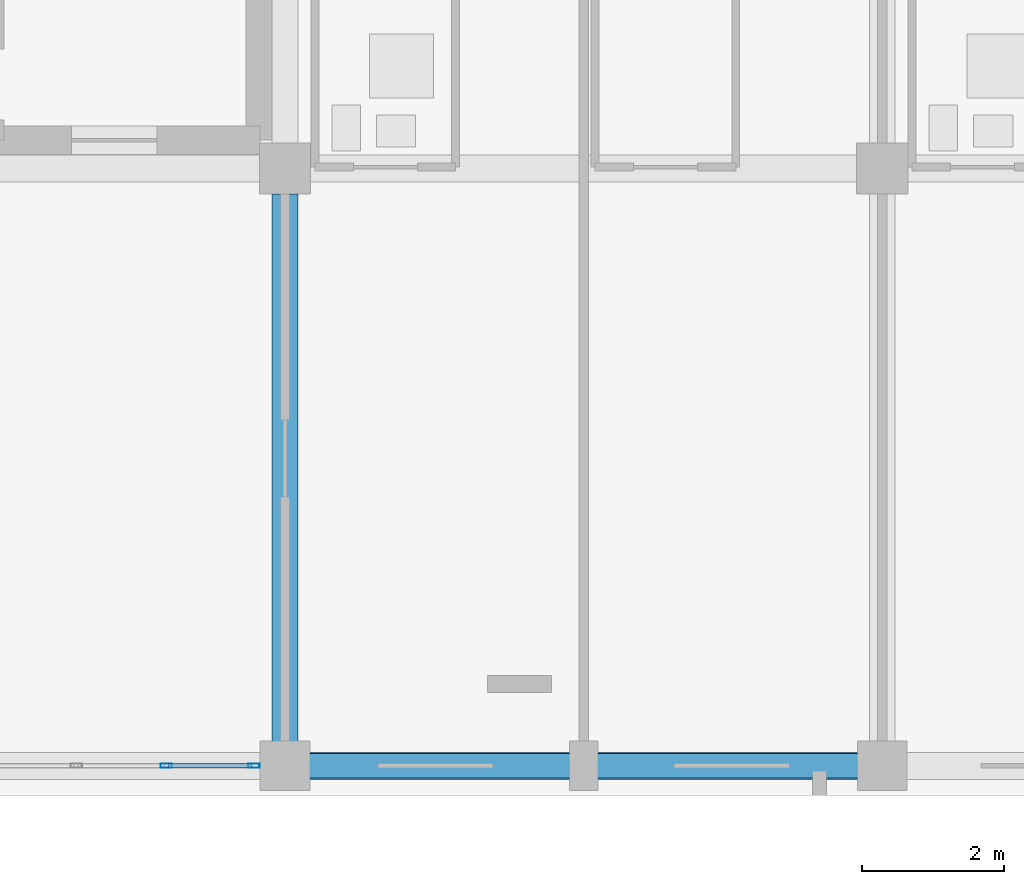
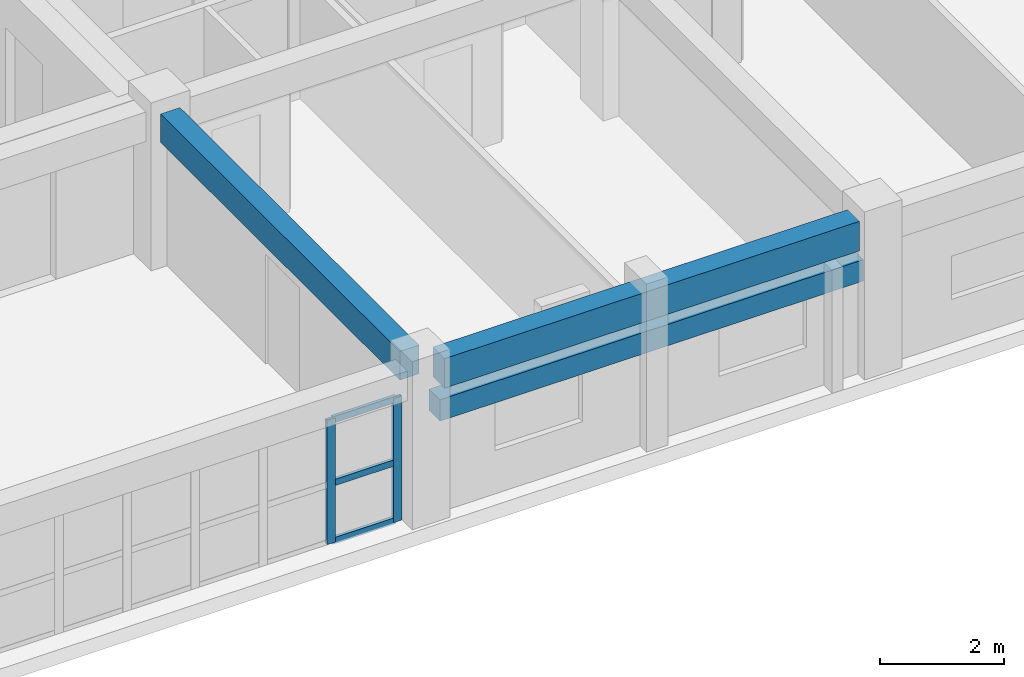
# One storey, part 14 of 148: 5 members, 3 beams, 1 element without a shape of its own.
"""IFC4 building model written with IfcOpenShell, lengths in metres."""

from ifc_helpers import new_model, si_unit, direction, frame, origin, origin_2d, place, context, subcontext, project, spatial, rectangle, hollow_rectangle, extrude, material, layer, layer_set, material_profile, profile_set, type_object, element, aggregate, save


model = new_model("IFC4")

# Units and contexts
model_context = context("Model", 3, precision=1e-05, world=origin(), true_north=direction((0.0, 1.0)))
body_context = subcontext(model_context, "Body", "Model", "MODEL_VIEW")
ifc_project = project(units=[si_unit("LENGTHUNIT", "METRE"), si_unit("AREAUNIT", "SQUARE_METRE"), si_unit("VOLUMEUNIT", "CUBIC_METRE"), si_unit("PLANEANGLEUNIT", "RADIAN"), si_unit("MASSUNIT", "GRAM", prefix="KILO")], contexts=[model_context])

# Site, building, storey
site_placement = place(None, origin())
site = spatial("IfcSite", under=ifc_project, at=site_placement, CompositionType="ELEMENT")
building_placement = place(site_placement, origin())
building = spatial("IfcBuilding", under=site, at=building_placement, Name="Trelvath General Hospital", CompositionType="ELEMENT")
storey_placement = place(building_placement, frame((0.0, 0.0, 12.89990234375)))
storey = spatial("IfcBuildingStorey", under=building, at=storey_placement, Name="L03", CompositionType="ELEMENT", Elevation=12.89990234375)

# Beams
ifc_material_1 = material(Name="Concrete C35/45", Category="concrete")
ifc_material_profile_1 = material_profile(ifc_material_1, rectangle(XDim=0.360107421875, YDim=0.56005859375, at=origin_2d()), Name="RCB360x560")
ifc_profile_set_1 = profile_set([ifc_material_profile_1], Name="Concrete C35/45")
beam_type_1 = type_object("IfcBeamType", Name="Beam RC360x560", PredefinedType="BEAM", material=ifc_profile_set_1)
beam_1_placement = place(storey_placement, frame((50.39990234375, 0.344970703125, 2.739990234375), z_axis=(0.0, 1.0, 0.0), x_axis=(-1.0, 0.0, 0.0)))
element("IfcBeam", 1, at=beam_1_placement, inside=storey, type_object=beam_type_1, Name="Grid Beam BY-306A", PredefinedType="BEAM", context=body_context, shape_type="SweptSolid", body=[
    extrude(rectangle(XDim=0.360107421875, YDim=0.56005859375, at=origin_2d()), origin(), (0.0, 0.0, 1.0), 7.699951171875),
])
ifc_material_2 = material(Name="Concrete C35/45", Category="concrete")
ifc_material_profile_2 = material_profile(ifc_material_2, rectangle(XDim=0.3798828125, YDim=0.580078125, at=origin_2d()), Name="RCB380x580")
ifc_profile_set_2 = profile_set([ifc_material_profile_2], Name="Concrete C35/45")
beam_type_2 = type_object("IfcBeamType", Name="Beam RC380x580", PredefinedType="BEAM", material=ifc_profile_set_2)
beam_2_placement = place(storey_placement, frame((50.7451171875, 0.0, 2.72998046875), z_axis=(1.0, 0.0, 0.0), x_axis=(0.0, 1.0, 0.0)))
element("IfcBeam", 2, at=beam_2_placement, inside=storey, type_object=beam_type_2, Name="Grid Beam BX-306A", PredefinedType="BEAM", context=body_context, shape_type="SweptSolid", body=[
    extrude(rectangle(XDim=0.3798828125, YDim=0.580078125, at=origin_2d()), origin(), (0.0, 0.0, 1.0), 7.7099609375),
])

# Curtain wall, members
ifc_material_3 = material(Name="Anodised aluminium and low-E glass", Category="aluminium")
ifc_layer = layer(ifc_material_3, 0.159912109375)
ifc_layer_set = layer_set([ifc_layer], Name="Anodised aluminium and low-E glass")
curtain_wall_type = type_object("IfcCurtainWallType", Name="CW Facade 759 244 16", PredefinedType="USERDEFINED", material=ifc_layer_set)
curtain_wall_placement = place(storey_placement, origin())
curtain_wall = element("IfcCurtainWall", 3, at=curtain_wall_placement, inside=storey, type_object=curtain_wall_type, Name="Facade Curtain Wall CW-056", ObjectType="Unitised Glazed Curtain Wall", PredefinedType="USERDEFINED")
ifc_material_4 = material(Name="Anodised aluminium", Category="aluminium")
ifc_material_profile_3 = material_profile(ifc_material_4, hollow_rectangle(XDim=0.06005859375, YDim=0.159912109375, WallThickness=0.00390625, at=origin_2d()), Name="RHS60x160x4")
ifc_profile_set_3 = profile_set([ifc_material_profile_3], Name="Anodised aluminium")
member_type_1 = type_object("IfcMemberType", Name="CurtainMullion 60x160", PredefinedType="MULLION", material=ifc_profile_set_3)
member_1_placement = place(storey_placement, frame((49.965087890625, 0.0, 0.0), z_axis=(0.0, 0.0, 1.0), x_axis=(0.0, -1.0, 0.0)))
member_1 = element("IfcMember", 4, at=member_1_placement, type_object=member_type_1, Name="CW-056 mullion 1", PredefinedType="MULLION", context=body_context, shape_type="SweptSolid", body=[
    extrude(hollow_rectangle(XDim=0.06005859375, YDim=0.159912109375, WallThickness=0.00390625, at=origin_2d()), origin(), (0.0, 0.0, 1.0), 2.440185546875),
])
member_2_placement = place(storey_placement, frame((48.72998046875, 0.0, 0.0), z_axis=(0.0, 0.0, 1.0), x_axis=(0.0, -1.0, 0.0)))
member_2 = element("IfcMember", 5, at=member_2_placement, type_object=member_type_1, Name="CW-056 mullion 2", PredefinedType="MULLION", context=body_context, shape_type="SweptSolid", body=[
    extrude(hollow_rectangle(XDim=0.06005859375, YDim=0.159912109375, WallThickness=0.00390625, at=origin_2d()), origin(), (0.0, 0.0, 1.0), 2.440185546875),
])
ifc_material_5 = material(Name="Anodised aluminium", Category="aluminium")
ifc_material_profile_4 = material_profile(ifc_material_5, hollow_rectangle(XDim=0.06005859375, YDim=0.125, WallThickness=0.00390625, at=origin_2d()), Name="RHS60x125x4")
ifc_profile_set_4 = profile_set([ifc_material_profile_4], Name="Anodised aluminium")
member_type_2 = type_object("IfcMemberType", Name="CurtainTransom 60x125", PredefinedType="USERDEFINED", material=ifc_profile_set_4)
member_3_placement = place(storey_placement, frame((49.93505859375, 0.0, 0.030029296875), z_axis=(-1.0, 0.0, 0.0), x_axis=(0.0, -1.0, 0.0)))
member_3 = element("IfcMember", 6, at=member_3_placement, type_object=member_type_2, Name="CW-056 transom 1.1", ObjectType="TRANSOM", PredefinedType="USERDEFINED", context=body_context, shape_type="SweptSolid", body=[
    extrude(hollow_rectangle(XDim=0.06005859375, YDim=0.125, WallThickness=0.00390625, at=origin_2d()), origin(), (0.0, 0.0, 1.0), 1.175048828125),
])
member_4_placement = place(storey_placement, frame((49.93505859375, 0.0, 1.171142578125), z_axis=(-1.0, 0.0, 0.0), x_axis=(0.0, -1.0, 0.0)))
member_4 = element("IfcMember", 7, at=member_4_placement, type_object=member_type_2, Name="CW-056 transom 1.2", ObjectType="TRANSOM", PredefinedType="USERDEFINED", context=body_context, shape_type="SweptSolid", body=[
    extrude(hollow_rectangle(XDim=0.06005859375, YDim=0.125, WallThickness=0.00390625, at=origin_2d()), origin(), (0.0, 0.0, 1.0), 1.175048828125),
])
member_5_placement = place(storey_placement, frame((49.93505859375, 0.0, 2.41015625), z_axis=(-1.0, 0.0, 0.0), x_axis=(0.0, -1.0, 0.0)))
member_5 = element("IfcMember", 8, at=member_5_placement, type_object=member_type_2, Name="CW-056 transom 1.3", ObjectType="TRANSOM", PredefinedType="USERDEFINED", context=body_context, shape_type="SweptSolid", body=[
    extrude(hollow_rectangle(XDim=0.06005859375, YDim=0.125, WallThickness=0.00390625, at=origin_2d()), origin(), (0.0, 0.0, 1.0), 1.175048828125),
])
aggregate(curtain_wall, [member_1, member_2, member_3, member_4, member_5])

# Beam
ifc_material_6 = material(Name="Precast concrete C40/50", Category="concrete")
ifc_material_profile_5 = material_profile(ifc_material_6, rectangle(XDim=0.35009765625, YDim=0.419921875, at=origin_2d()), Name="PCL350x420")
ifc_profile_set_5 = profile_set([ifc_material_profile_5], Name="Precast concrete C40/50")
beam_type_3 = type_object("IfcBeamType", Name="Lintel PC350x420", PredefinedType="LINTEL", material=ifc_profile_set_5)
beam_3_placement = place(storey_placement, frame((58.534912109375, 0.0, 2.02001953125), z_axis=(-1.0, 0.0, 0.0), x_axis=(0.0, -1.0, 0.0)))
element("IfcBeam", 9, at=beam_3_placement, inside=storey, type_object=beam_type_3, Name="Precast Window Brow Lintel L03-368", PredefinedType="LINTEL", context=body_context, shape_type="SweptSolid", body=[
    extrude(rectangle(XDim=0.35009765625, YDim=0.419921875, at=origin_2d()), origin(), (0.0, 0.0, 1.0), 7.869873046875),
])

save(model, "model.ifc")
